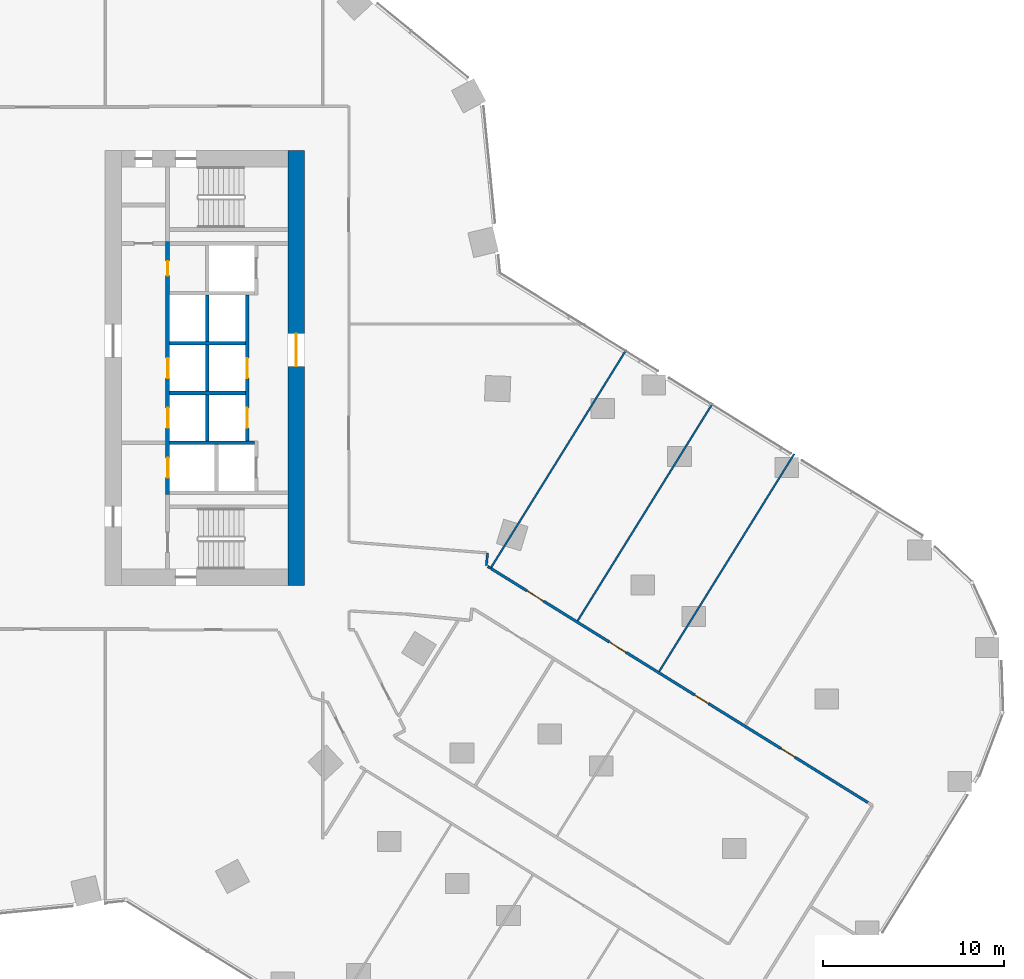
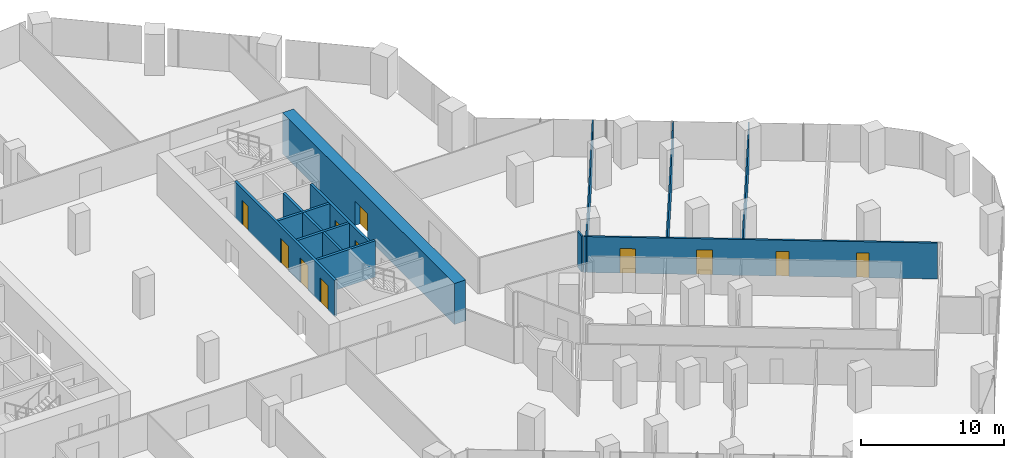
# One storey, part 31 of 34: 15 walls, 11 doors, 11 openings.
"""IFC4 building model written with IfcOpenShell, lengths in metres."""

from ifc_helpers import new_model, si_unit, direction, frame, frame_2d, origin, place, context, subcontext, project, spatial, rectangle, extrude, material, layer, layer_set, type_object, element, fill, save


model = new_model("IFC4")

# Units and contexts
model_context = context("Model", 3, precision=1e-05, world=origin(), true_north=direction((0.0, 1.0)))
body_context = subcontext(model_context, "Body", "Model", "MODEL_VIEW")
ifc_project = project(units=[si_unit("LENGTHUNIT", "METRE"), si_unit("AREAUNIT", "SQUARE_METRE"), si_unit("VOLUMEUNIT", "CUBIC_METRE"), si_unit("PLANEANGLEUNIT", "RADIAN"), si_unit("MASSUNIT", "GRAM", prefix="KILO")], contexts=[model_context])

# Site, building, storey
site_placement = place(None, origin())
site = spatial("IfcSite", under=ifc_project, at=site_placement, CompositionType="ELEMENT")
building_placement = place(site_placement, origin())
building = spatial("IfcBuilding", under=site, at=building_placement, Name="Orlundy Tower", CompositionType="ELEMENT")
storey_placement = place(building_placement, frame((0.0, 0.0, 47.800048828125)))
storey = spatial("IfcBuildingStorey", under=building, at=storey_placement, Name="L10", CompositionType="ELEMENT", Elevation=47.800048828125)

# Wall, opening, door
ifc_material_1 = material(Name="Concrete C80/95", Category="concrete")
ifc_layer_1 = layer(ifc_material_1, 0.89990234375)
ifc_layer_set_1 = layer_set([ifc_layer_1], Name="CORE WALL 900 C80/95")
wall_type_1 = type_object("IfcWallType", Name="CORE WALL 900 C80/95", PredefinedType="SHEAR", material=ifc_layer_set_1)
wall_1_placement = place(storey_placement, frame((18.550048828125, -12.0, 0.0), z_axis=(0.0, 0.0, 1.0), x_axis=(0.0, 1.0, 0.0)))
wall_1 = element("IfcWall", 1, at=wall_1_placement, inside=storey, type_object=wall_type_1, Name="Core wall E-E L10", PredefinedType="SHEAR", context=body_context, shape_type="SweptSolid", body=[
    extrude(rectangle(XDim=24.0, YDim=0.89990234375, at=frame_2d((12.0, 0.0))), origin(), (0.0, 0.0, 1.0), 3.5),
])
opening_1_placement = place(wall_1_placement, frame((12.10009765625, 0.0, 0.0)))
opening_1 = element("IfcOpeningElement", 2, at=opening_1_placement, cuts=wall_1, Name="Opening 09059", PredefinedType="OPENING", context=body_context, shape_type="SweptSolid", body=[
    extrude(rectangle(XDim=1.800048828125, YDim=2.10009765625, at=frame_2d((0.89990234375, 1.050048828125))), frame((0.0, 0.4599609375, 0.0), z_axis=(0.0, -1.0, 0.0), x_axis=(1.0, 0.0, 0.0)), (0.0, 0.0, 1.0), 0.919921875),
])
ifc_material_2 = material(Name="Timber door set", Category="wood")
door_type_1 = type_object("IfcDoorType", Name="Lobby Door 1800x2100", OperationType="DOUBLE_DOOR_DOUBLE_SWING", PredefinedType="DOOR", material=ifc_material_2)
door_1_placement = place(opening_1_placement, origin())
door_1 = element("IfcDoor", 3, at=door_1_placement, inside=storey, type_object=door_type_1, Name="Lift lobby door 09059", OperationType="SINGLE_SWING_RIGHT", OverallHeight=2.10009765625, OverallWidth=1.800048828125, PredefinedType="DOOR", context=body_context, shape_type="SweptSolid", body=[
    extrude(rectangle(XDim=1.800048828125, YDim=2.10009765625, at=frame_2d((0.89990234375, 1.050048828125))), frame((0.0, 0.02490234375, 0.0), z_axis=(0.0, -1.0, 0.0), x_axis=(1.0, 0.0, 0.0)), (0.0, 0.0, 1.0), 0.050048828125),
])
fill(opening_1, door_1)

# Walls
ifc_material_3 = material(Name="Gypsum board partition")
ifc_layer_2 = layer(ifc_material_3, 0.10009765625)
ifc_layer_set_2 = layer_set([ifc_layer_2], Name="Floor partition 100")
wall_type_2 = type_object("IfcWallType", Name="Floor partition 100", PredefinedType="PARTITIONING", material=ifc_layer_set_2)
for number, where, z_axis, x_axis, name in (
    (4, (38.573974609375, -16.737060546875, 0.0), (0.0, 0.0, 1.0), (0.527429557997, 0.849598764919, 0.0), "wall-int-L10-062"),
    (5, (34.072021484375, -13.94189453125, 0.0), (0.0, 0.0, 1.0), (0.527437304247, 0.84959395601, 0.0), "wall-int-L10-065"),
):
    element("IfcWall", number, at=place(storey_placement, frame(where, z_axis=z_axis, x_axis=x_axis)), inside=storey, type_object=wall_type_2, Name=name, PredefinedType="PARTITIONING", context=body_context, shape_type="SweptSolid", body=[
        extrude(rectangle(XDim=14.123046875, YDim=0.10009765625, at=frame_2d((7.0615234375, 0.0))), origin(), (0.0, 0.0, 1.0), 3.06005859375),
    ])
wall_2_placement = place(storey_placement, frame((29.26806640625, -11.048095703125, 0.0), z_axis=(0.0, 0.0, 1.0), x_axis=(0.527446323462, 0.849588356716, 0.0)))
element("IfcWall", 6, at=wall_2_placement, inside=storey, type_object=wall_type_2, Name="wall-int-L10-068", PredefinedType="PARTITIONING", context=body_context, shape_type="SweptSolid", body=[
    extrude(rectangle(XDim=14.19873046875, YDim=0.10009765625, at=frame_2d((7.099365234375, 0.0))), origin(), (0.0, 0.0, 1.0), 3.06005859375),
])
ifc_material_4 = material(Name="Gypsum board partition, double layer")
ifc_layer_3 = layer(ifc_material_4, 0.125)
ifc_layer_set_3 = layer_set([ifc_layer_3], Name="Floor partition 125")
wall_type_3 = type_object("IfcWallType", Name="Floor partition 125", PredefinedType="PARTITIONING", material=ifc_layer_set_3)
wall_3_placement = place(storey_placement, frame((29.116943359375, -10.955078125, 0.0), z_axis=(0.0, 0.0, 1.0), x_axis=(0.851611075983, -0.524174184087, 0.0)))
element("IfcWall", 7, at=wall_3_placement, inside=storey, type_object=wall_type_3, Name="wall-int-L10-027", PredefinedType="PARTITIONING", context=body_context, shape_type="SweptSolid", body=[
    extrude(rectangle(XDim=0.177490234375, YDim=0.125, at=frame_2d((0.0888671875, 0.0))), origin(), (0.0, 0.0, 1.0), 3.06005859375),
])
wall_4_placement = place(storey_placement, frame((29.031982421875, -10.902099609375, 0.0), z_axis=(0.0, 0.0, 1.0), x_axis=(0.098777968406, 0.995109497974, 0.0)))
element("IfcWall", 8, at=wall_4_placement, inside=storey, type_object=wall_type_3, Name="wall-int-L10-071", PredefinedType="PARTITIONING", context=body_context, shape_type="SweptSolid", body=[
    extrude(rectangle(XDim=0.699462890625, YDim=0.125, at=frame_2d((0.349609375, 0.0))), origin(), (0.0, 0.0, 1.0), 3.06005859375),
])

# Wall, openings, doors
ifc_material_5 = material(Name="Blockwork shaft wall", Category="masonry")
ifc_layer_4 = layer(ifc_material_5, 0.14990234375)
ifc_layer_set_4 = layer_set([ifc_layer_4], Name="Floor shaft wall 150")
wall_type_4 = type_object("IfcWallType", Name="Floor shaft wall 150", PredefinedType="PARTITIONING", material=ifc_layer_set_4)
wall_5_placement = place(storey_placement, frame((29.31005859375, -11.073974609375, 0.0), z_axis=(0.0, 0.0, 1.0), x_axis=(0.849545912719, -0.527514684329, 0.0)))
wall_5 = element("IfcWall", 9, at=wall_5_placement, inside=storey, type_object=wall_type_4, Name="wall-int-L10-026", PredefinedType="PARTITIONING", context=body_context, shape_type="SweptSolid", body=[
    extrude(rectangle(XDim=24.45654296875, YDim=0.14990234375, at=frame_2d((12.228271484375, 0.0))), origin(), (0.0, 0.0, 1.0), 3.06005859375),
])
opening_2_placement = place(wall_5_placement, frame((2.300048828125, 0.0, 0.0)))
opening_2 = element("IfcOpeningElement", 10, at=opening_2_placement, cuts=wall_5, Name="Opening 09100", PredefinedType="OPENING", context=body_context, shape_type="SweptSolid", body=[
    extrude(rectangle(XDim=1.10009765625, YDim=2.10009765625, at=frame_2d((0.550048828125, 1.050048828125))), frame((0.0, 0.0849609375, 0.0), z_axis=(0.0, -1.0, 0.0), x_axis=(1.0, 0.0, 0.0)), (0.0, 0.0, 1.0), 0.169921875),
])
opening_3_placement = place(wall_5_placement, frame((7.65771484375, 0.0, 0.0)))
opening_3 = element("IfcOpeningElement", 11, at=opening_3_placement, cuts=wall_5, Name="Opening 09101", PredefinedType="OPENING", context=body_context, shape_type="SweptSolid", body=[
    extrude(rectangle(XDim=1.10009765625, YDim=2.10009765625, at=frame_2d((0.550048828125, 1.050048828125))), frame((0.0, 0.0849609375, 0.0), z_axis=(0.0, -1.0, 0.0), x_axis=(1.0, 0.0, 0.0)), (0.0, 0.0, 1.0), 0.169921875),
])
opening_4_placement = place(wall_5_placement, frame((13.206787109375, 0.0, 0.0)))
opening_4 = element("IfcOpeningElement", 12, at=opening_4_placement, cuts=wall_5, Name="Opening 09104", PredefinedType="OPENING", context=body_context, shape_type="SweptSolid", body=[
    extrude(rectangle(XDim=0.89990234375, YDim=2.10009765625, at=frame_2d((0.449951171875, 1.050048828125))), frame((0.0, 0.0849609375, 0.0), z_axis=(0.0, -1.0, 0.0), x_axis=(1.0, 0.0, 0.0)), (0.0, 0.0, 1.0), 0.169921875),
])
opening_5_placement = place(wall_5_placement, frame((18.806396484375, 0.0, 0.0)))
opening_5 = element("IfcOpeningElement", 13, at=opening_5_placement, cuts=wall_5, Name="Opening 09107", PredefinedType="OPENING", context=body_context, shape_type="SweptSolid", body=[
    extrude(rectangle(XDim=0.89990234375, YDim=2.10009765625, at=frame_2d((0.449951171875, 1.050048828125))), frame((0.0, 0.0849609375, 0.0), z_axis=(0.0, -1.0, 0.0), x_axis=(1.0, 0.0, 0.0)), (0.0, 0.0, 1.0), 0.169921875),
])
ifc_material_6 = material(Name="Timber door leaf", Category="wood")
door_type_2 = type_object("IfcDoorType", Name="Floor door single 900 FD60", OperationType="NOTDEFINED", PredefinedType="DOOR", material=ifc_material_6)
door_2_placement = place(opening_4_placement, origin())
door_2 = element("IfcDoor", 14, at=door_2_placement, inside=storey, type_object=door_type_2, Name="Door 09104", OperationType="SINGLE_SWING_RIGHT", OverallHeight=2.10009765625, OverallWidth=0.89990234375, PredefinedType="DOOR", context=body_context, shape_type="SweptSolid", body=[
    extrude(rectangle(XDim=0.89990234375, YDim=2.10009765625, at=frame_2d((0.449951171875, 1.050048828125))), frame((0.0, 0.02490234375, 0.0), z_axis=(0.0, -1.0, 0.0), x_axis=(1.0, 0.0, 0.0)), (0.0, 0.0, 1.0), 0.050048828125),
])
fill(opening_4, door_2)
door_3_placement = place(opening_5_placement, origin())
door_3 = element("IfcDoor", 15, at=door_3_placement, inside=storey, type_object=door_type_2, Name="Door 09107", OperationType="SINGLE_SWING_RIGHT", OverallHeight=2.10009765625, OverallWidth=0.89990234375, PredefinedType="DOOR", context=body_context, shape_type="SweptSolid", body=[
    extrude(rectangle(XDim=0.89990234375, YDim=2.10009765625, at=frame_2d((0.449951171875, 1.050048828125))), frame((0.0, 0.02490234375, 0.0), z_axis=(0.0, -1.0, 0.0), x_axis=(1.0, 0.0, 0.0)), (0.0, 0.0, 1.0), 0.050048828125),
])
fill(opening_5, door_3)
ifc_material_7 = material(Name="Timber door leaf", Category="wood")
door_type_3 = type_object("IfcDoorType", Name="Floor door xwide 1100 FD60", OperationType="NOTDEFINED", PredefinedType="DOOR", material=ifc_material_7)
door_4_placement = place(opening_2_placement, origin())
door_4 = element("IfcDoor", 16, at=door_4_placement, inside=storey, type_object=door_type_3, Name="Door 09100", OperationType="SINGLE_SWING_LEFT", OverallHeight=2.10009765625, OverallWidth=1.10009765625, PredefinedType="DOOR", context=body_context, shape_type="SweptSolid", body=[
    extrude(rectangle(XDim=1.10009765625, YDim=2.10009765625, at=frame_2d((0.550048828125, 1.050048828125))), frame((0.0, 0.02490234375, 0.0), z_axis=(0.0, -1.0, 0.0), x_axis=(1.0, 0.0, 0.0)), (0.0, 0.0, 1.0), 0.050048828125),
])
fill(opening_2, door_4)
door_5_placement = place(opening_3_placement, origin())
door_5 = element("IfcDoor", 17, at=door_5_placement, inside=storey, type_object=door_type_3, Name="Door 09101", OperationType="SINGLE_SWING_LEFT", OverallHeight=2.10009765625, OverallWidth=1.10009765625, PredefinedType="DOOR", context=body_context, shape_type="SweptSolid", body=[
    extrude(rectangle(XDim=1.10009765625, YDim=2.10009765625, at=frame_2d((0.550048828125, 1.050048828125))), frame((0.0, 0.02490234375, 0.0), z_axis=(0.0, -1.0, 0.0), x_axis=(1.0, 0.0, 0.0)), (0.0, 0.0, 1.0), 0.050048828125),
])
fill(opening_3, door_5)

# Walls
ifc_material_8 = material(Name="Fire-rated blockwork shaft wall", Category="masonry")
ifc_layer_5 = layer(ifc_material_8, 0.199951171875)
ifc_layer_set_5 = layer_set([ifc_layer_5], Name="Shaft Wall 200")
wall_type_5 = type_object("IfcWallType", Name="Shaft Wall 200", PredefinedType="SOLIDWALL", material=ifc_layer_set_5)
for number, where, z_axis, x_axis, name in (
    (18, (11.5400390625, 1.375, 0.0), (0.0, 0.0, 1.0), (1.0, 0.0, 0.0), "Shaft wall E09-cross-1.375"),
    (19, (11.5400390625, -1.375, 0.0), (0.0, 0.0, 1.0), (1.0, 0.0, 0.0), "Shaft wall E09-cross+1.375"),
):
    element("IfcWall", number, at=place(storey_placement, frame(where, z_axis=z_axis, x_axis=x_axis)), inside=storey, type_object=wall_type_5, Name=name, PredefinedType="SOLIDWALL", context=body_context, shape_type="SweptSolid", body=[
        extrude(rectangle(XDim=4.199951171875, YDim=0.199951171875, at=frame_2d((2.10009765625, 0.0))), origin(), (0.0, 0.0, 1.0), 3.079833984375),
    ])
wall_6_placement = place(storey_placement, frame((11.5400390625, -4.125, 0.0), z_axis=(0.0, 0.0, 1.0), x_axis=(1.0, 0.0, 0.0)))
element("IfcWall", 20, at=wall_6_placement, inside=storey, type_object=wall_type_5, Name="Shaft wall E09-cross+4.125", PredefinedType="SOLIDWALL", context=body_context, shape_type="SweptSolid", body=[
    extrude(rectangle(XDim=4.699951171875, YDim=0.199951171875, at=frame_2d((2.35009765625, 0.0))), origin(), (0.0, 0.0, 1.0), 3.079833984375),
])

# Wall, openings, doors
wall_7_placement = place(storey_placement, frame((11.43994140625, 6.97509765625, 0.0), z_axis=(0.0, 0.0, 1.0), x_axis=(0.0, -1.0, 0.0)))
wall_7 = element("IfcWall", 21, at=wall_7_placement, inside=storey, type_object=wall_type_5, Name="Shaft wall E09-front-h", PredefinedType="SOLIDWALL", context=body_context, shape_type="SweptSolid", body=[
    extrude(rectangle(XDim=13.9501953125, YDim=0.199951171875, at=frame_2d((6.97509765625, 0.0))), origin(), (0.0, 0.0, 1.0), 3.079833984375),
])
opening_6_placement = place(wall_7_placement, frame((6.425048828125, 0.0, 0.0)))
opening_6 = element("IfcOpeningElement", 22, at=opening_6_placement, cuts=wall_7, Name="Opening 09051", PredefinedType="OPENING", context=body_context, shape_type="SweptSolid", body=[
    extrude(rectangle(XDim=1.10009765625, YDim=2.10009765625, at=frame_2d((0.550048828125, 1.050048828125))), frame((0.0, 0.110107421875, 0.0), z_axis=(0.0, -1.0, 0.0), x_axis=(1.0, 0.0, 0.0)), (0.0, 0.0, 1.0), 0.22021484375),
])
opening_7_placement = place(wall_7_placement, frame((9.175048828125, 0.0, 0.0)))
opening_7 = element("IfcOpeningElement", 23, at=opening_7_placement, cuts=wall_7, Name="Opening 09053", PredefinedType="OPENING", context=body_context, shape_type="SweptSolid", body=[
    extrude(rectangle(XDim=1.10009765625, YDim=2.10009765625, at=frame_2d((0.550048828125, 1.050048828125))), frame((0.0, 0.110107421875, 0.0), z_axis=(0.0, -1.0, 0.0), x_axis=(1.0, 0.0, 0.0)), (0.0, 0.0, 1.0), 0.22021484375),
])
opening_8_placement = place(wall_7_placement, frame((11.925048828125, 0.0, 0.0)))
opening_8 = element("IfcOpeningElement", 24, at=opening_8_placement, cuts=wall_7, Name="Opening 09055", PredefinedType="OPENING", context=body_context, shape_type="SweptSolid", body=[
    extrude(rectangle(XDim=1.10009765625, YDim=2.10009765625, at=frame_2d((0.550048828125, 1.050048828125))), frame((0.0, 0.110107421875, 0.0), z_axis=(0.0, -1.0, 0.0), x_axis=(1.0, 0.0, 0.0)), (0.0, 0.0, 1.0), 0.22021484375),
])
opening_9_placement = place(wall_7_placement, frame((1.074951171875, 0.0, 0.0)))
opening_9 = element("IfcOpeningElement", 25, at=opening_9_placement, cuts=wall_7, Name="Opening 09057", PredefinedType="OPENING", context=body_context, shape_type="SweptSolid", body=[
    extrude(rectangle(XDim=0.800048828125, YDim=2.10009765625, at=frame_2d((0.39990234375, 1.050048828125))), frame((0.0, 0.110107421875, 0.0), z_axis=(0.0, -1.0, 0.0), x_axis=(1.0, 0.0, 0.0)), (0.0, 0.0, 1.0), 0.22021484375),
])
ifc_material_9 = material(Name="Steel door set", Category="steel")
door_type_4 = type_object("IfcDoorType", Name="Landing Door 1100x2100", OperationType="DOUBLE_DOOR_SLIDING", PredefinedType="DOOR", material=ifc_material_9)
door_6_placement = place(opening_6_placement, origin())
door_6 = element("IfcDoor", 26, at=door_6_placement, inside=storey, type_object=door_type_4, Name="Lift landing door LP-10 09051", OperationType="DOUBLE_DOOR_SLIDING", OverallHeight=2.10009765625, OverallWidth=1.10009765625, PredefinedType="DOOR", context=body_context, shape_type="SweptSolid", body=[
    extrude(rectangle(XDim=1.10009765625, YDim=2.10009765625, at=frame_2d((0.550048828125, 1.050048828125))), frame((0.0, 0.02490234375, 0.0), z_axis=(0.0, -1.0, 0.0), x_axis=(1.0, 0.0, 0.0)), (0.0, 0.0, 1.0), 0.050048828125),
])
fill(opening_6, door_6)
door_7_placement = place(opening_7_placement, origin())
door_7 = element("IfcDoor", 27, at=door_7_placement, inside=storey, type_object=door_type_4, Name="Lift landing door LP-07 09053", OperationType="DOUBLE_DOOR_SLIDING", OverallHeight=2.10009765625, OverallWidth=1.10009765625, PredefinedType="DOOR", context=body_context, shape_type="SweptSolid", body=[
    extrude(rectangle(XDim=1.10009765625, YDim=2.10009765625, at=frame_2d((0.550048828125, 1.050048828125))), frame((0.0, 0.02490234375, 0.0), z_axis=(0.0, -1.0, 0.0), x_axis=(1.0, 0.0, 0.0)), (0.0, 0.0, 1.0), 0.050048828125),
])
fill(opening_7, door_7)
door_8_placement = place(opening_8_placement, origin())
door_8 = element("IfcDoor", 28, at=door_8_placement, inside=storey, type_object=door_type_4, Name="Lift landing door FL2 09055", OperationType="DOUBLE_DOOR_SLIDING", OverallHeight=2.10009765625, OverallWidth=1.10009765625, PredefinedType="DOOR", context=body_context, shape_type="SweptSolid", body=[
    extrude(rectangle(XDim=1.10009765625, YDim=2.10009765625, at=frame_2d((0.550048828125, 1.050048828125))), frame((0.0, 0.02490234375, 0.0), z_axis=(0.0, -1.0, 0.0), x_axis=(1.0, 0.0, 0.0)), (0.0, 0.0, 1.0), 0.050048828125),
])
fill(opening_8, door_8)
ifc_material_10 = material(Name="Timber door set", Category="wood")
door_type_5 = type_object("IfcDoorType", Name="Riser Door 800x2100", OperationType="SINGLE_SWING_LEFT", PredefinedType="DOOR", material=ifc_material_10)
door_9_placement = place(opening_9_placement, origin())
door_9 = element("IfcDoor", 29, at=door_9_placement, inside=storey, type_object=door_type_5, Name="Electrical Riser Room door 09057", OperationType="SINGLE_SWING_LEFT", OverallHeight=2.10009765625, OverallWidth=0.800048828125, PredefinedType="DOOR", context=body_context, shape_type="SweptSolid", body=[
    extrude(rectangle(XDim=0.800048828125, YDim=2.10009765625, at=frame_2d((0.39990234375, 1.050048828125))), frame((0.0, 0.02490234375, 0.0), z_axis=(0.0, -1.0, 0.0), x_axis=(1.0, 0.0, 0.0)), (0.0, 0.0, 1.0), 0.050048828125),
])
fill(opening_9, door_9)

# Walls
for number, where, z_axis, x_axis, name in (
    (30, (13.639892578125, 4.02490234375, 0.0), (0.0, 0.0, 1.0), (0.0, -1.0, 0.0), "Shaft wall E09-mid-a.1"),
    (31, (13.639892578125, 1.27490234375, 0.0), (0.0, 0.0, 1.0), (0.0, -1.0, 0.0), "Shaft wall E09-mid-a.2"),
    (32, (13.639892578125, -1.47509765625, 0.0), (0.0, 0.0, 1.0), (0.0, -1.0, 0.0), "Shaft wall E09-mid-a.3"),
):
    element("IfcWall", number, at=place(storey_placement, frame(where, z_axis=z_axis, x_axis=x_axis)), inside=storey, type_object=wall_type_5, Name=name, PredefinedType="SOLIDWALL", context=body_context, shape_type="SweptSolid", body=[
        extrude(rectangle(XDim=2.5498046875, YDim=0.199951171875, at=frame_2d((1.27490234375, 0.0))), origin(), (0.0, 0.0, 1.0), 3.079833984375),
    ])

# Wall, openings, doors
wall_8_placement = place(storey_placement, frame((15.840087890625, 4.02490234375, 0.0), z_axis=(0.0, 0.0, 1.0), x_axis=(0.0, -1.0, 0.0)))
wall_8 = element("IfcWall", 33, at=wall_8_placement, inside=storey, type_object=wall_type_5, Name="Shaft wall E09-front-o-b", PredefinedType="SOLIDWALL", context=body_context, shape_type="SweptSolid", body=[
    extrude(rectangle(XDim=8.0498046875, YDim=0.199951171875, at=frame_2d((4.02490234375, 0.0))), origin(), (0.0, 0.0, 1.0), 3.079833984375),
])
opening_10_placement = place(wall_8_placement, frame((3.47509765625, 0.0, 0.0)))
opening_10 = element("IfcOpeningElement", 34, at=opening_10_placement, cuts=wall_8, Name="Opening 09052", PredefinedType="OPENING", context=body_context, shape_type="SweptSolid", body=[
    extrude(rectangle(XDim=1.10009765625, YDim=2.10009765625, at=frame_2d((0.550048828125, 1.050048828125))), frame((0.0, 0.110107421875, 0.0), z_axis=(0.0, -1.0, 0.0), x_axis=(1.0, 0.0, 0.0)), (0.0, 0.0, 1.0), 0.22021484375),
])
opening_11_placement = place(wall_8_placement, frame((6.22509765625, 0.0, 0.0)))
opening_11 = element("IfcOpeningElement", 35, at=opening_11_placement, cuts=wall_8, Name="Opening 09054", PredefinedType="OPENING", context=body_context, shape_type="SweptSolid", body=[
    extrude(rectangle(XDim=1.10009765625, YDim=2.10009765625, at=frame_2d((0.550048828125, 1.050048828125))), frame((0.0, 0.110107421875, 0.0), z_axis=(0.0, -1.0, 0.0), x_axis=(1.0, 0.0, 0.0)), (0.0, 0.0, 1.0), 0.22021484375),
])
door_10_placement = place(opening_10_placement, origin())
door_10 = element("IfcDoor", 36, at=door_10_placement, inside=storey, type_object=door_type_4, Name="Lift landing door LP-06 09052", OperationType="DOUBLE_DOOR_SLIDING", OverallHeight=2.10009765625, OverallWidth=1.10009765625, PredefinedType="DOOR", context=body_context, shape_type="SweptSolid", body=[
    extrude(rectangle(XDim=1.10009765625, YDim=2.10009765625, at=frame_2d((0.550048828125, 1.050048828125))), frame((0.0, 0.02490234375, 0.0), z_axis=(0.0, -1.0, 0.0), x_axis=(1.0, 0.0, 0.0)), (0.0, 0.0, 1.0), 0.050048828125),
])
fill(opening_10, door_10)
door_11_placement = place(opening_11_placement, origin())
door_11 = element("IfcDoor", 37, at=door_11_placement, inside=storey, type_object=door_type_4, Name="Lift landing door LP-08 09054", OperationType="DOUBLE_DOOR_SLIDING", OverallHeight=2.10009765625, OverallWidth=1.10009765625, PredefinedType="DOOR", context=body_context, shape_type="SweptSolid", body=[
    extrude(rectangle(XDim=1.10009765625, YDim=2.10009765625, at=frame_2d((0.550048828125, 1.050048828125))), frame((0.0, 0.02490234375, 0.0), z_axis=(0.0, -1.0, 0.0), x_axis=(1.0, 0.0, 0.0)), (0.0, 0.0, 1.0), 0.050048828125),
])
fill(opening_11, door_11)

save(model, "model.ifc")
